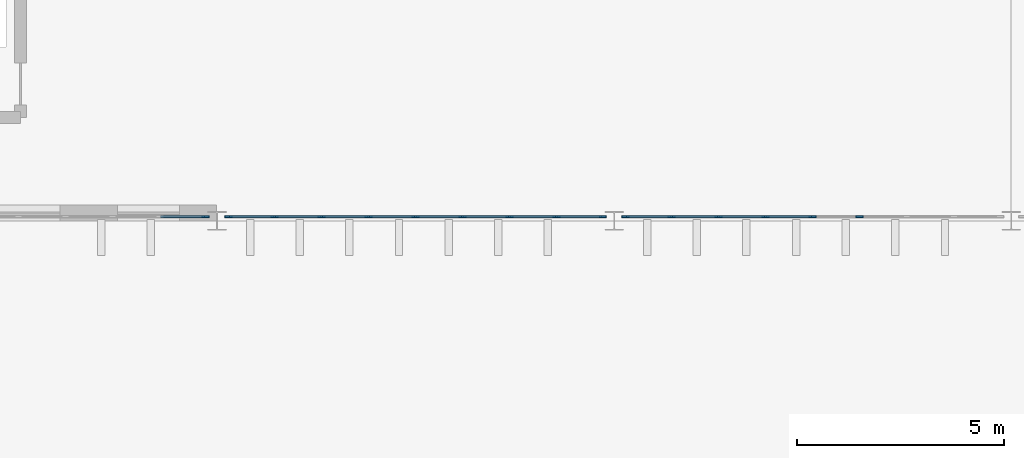
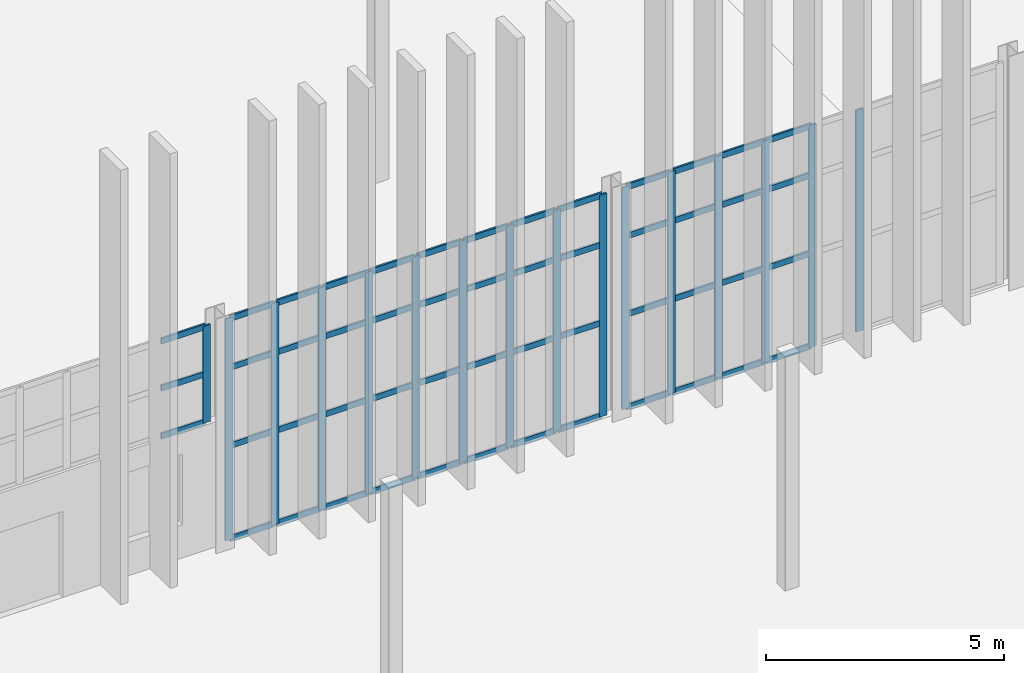
# One storey, part 38 of 139: 67 members, 3 elements without a shape of their own.
"""IFC4 building model written with IfcOpenShell, lengths in metres."""

from ifc_helpers import new_model, si_unit, direction, frame, origin, origin_2d, place, context, subcontext, project, spatial, rectangle, extrude, material, layer, layer_set, material_profile, profile_set, type_object, element, aggregate, save


model = new_model("IFC4")

# Units and contexts
model_context = context("Model", 3, precision=1e-05, world=origin(), true_north=direction((0.0, 1.0)))
body_context = subcontext(model_context, "Body", "Model", "MODEL_VIEW")
ifc_project = project(units=[si_unit("LENGTHUNIT", "METRE"), si_unit("AREAUNIT", "SQUARE_METRE"), si_unit("VOLUMEUNIT", "CUBIC_METRE"), si_unit("PLANEANGLEUNIT", "RADIAN"), si_unit("MASSUNIT", "GRAM", prefix="KILO")], contexts=[model_context])

# Site, building, storey
site_placement = place(None, origin())
site = spatial("IfcSite", under=ifc_project, at=site_placement, CompositionType="ELEMENT")
building_placement = place(site_placement, origin())
building = spatial("IfcBuilding", under=site, at=building_placement, Name="Yeouljin Market Hall", CompositionType="ELEMENT")
storey_placement = place(building_placement, origin())
storey = spatial("IfcBuildingStorey", under=building, at=storey_placement, Name="L00", CompositionType="ELEMENT", Elevation=0.0)

# Curtain wall, member
ifc_material_1 = material(Name="Thermally Broken Aluminium", Category="aluminium")
ifc_layer = layer(ifc_material_1, 0.179931640625)
ifc_layer_set = layer_set([ifc_layer], Name="Thermally Broken Aluminium")
curtain_wall_type = type_object("IfcCurtainWallType", Name="CW_HallNave_System", PredefinedType="USERDEFINED", material=ifc_layer_set)
curtain_wall_1_placement = place(storey_placement, origin())
curtain_wall_1 = element("IfcCurtainWall", 1, at=curtain_wall_1_placement, inside=storey, type_object=curtain_wall_type, Name="Curtain wall CW-V1S-L00-06", ObjectType="CURTAIN WALL", PredefinedType="USERDEFINED")
ifc_material_2 = material(Name="Thermally Broken Aluminium", Category="aluminium")
ifc_material_profile_1 = material_profile(ifc_material_2, rectangle(XDim=0.048095703125, YDim=0.179931640625, at=origin_2d()), Name="CW-MULL-48x180")
ifc_profile_set_1 = profile_set([ifc_material_profile_1], Name="Thermally Broken Aluminium")
member_type_1 = type_object("IfcMemberType", Name="CWMullion_48x180", PredefinedType="MULLION", material=ifc_profile_set_1)
member_1_placement = place(storey_placement, frame((92.72607421875, 36.10009765625, 3.199951171875), z_axis=(0.0, 0.0, 1.0), x_axis=(0.0, -1.0, 0.0)))
member_1 = element("IfcMember", 2, at=member_1_placement, type_object=member_type_1, Name="CW-01 mullion 1", PredefinedType="MULLION", context=body_context, shape_type="SweptSolid", body=[
    extrude(rectangle(XDim=0.048095703125, YDim=0.179931640625, at=origin_2d()), origin(), (0.0, 0.0, 1.0), 2.47998046875),
])

# Curtain wall, members
curtain_wall_2_placement = place(storey_placement, origin())
curtain_wall_2 = element("IfcCurtainWall", 3, at=curtain_wall_2_placement, inside=storey, type_object=curtain_wall_type, Name="Curtain wall CW-V1S-L00-07", ObjectType="CURTAIN WALL", PredefinedType="USERDEFINED")
member_2_placement = place(storey_placement, frame((102.325927734375, 36.10009765625, 0.0), z_axis=(0.0, 0.0, 1.0), x_axis=(0.0, -1.0, 0.0)))
member_2 = element("IfcMember", 4, at=member_2_placement, type_object=member_type_1, Name="CW-01 mullion 1", PredefinedType="MULLION", context=body_context, shape_type="SweptSolid", body=[
    extrude(rectangle(XDim=0.048095703125, YDim=0.179931640625, at=origin_2d()), origin(), (0.0, 0.0, 1.0), 5.679931640625),
])
member_3_placement = place(storey_placement, frame((101.21240234375, 36.10009765625, 0.0), z_axis=(0.0, 0.0, 1.0), x_axis=(0.0, -1.0, 0.0)))
member_3 = element("IfcMember", 5, at=member_3_placement, type_object=member_type_1, Name="CW-01 mullion 2", PredefinedType="MULLION", context=body_context, shape_type="SweptSolid", body=[
    extrude(rectangle(XDim=0.048095703125, YDim=0.179931640625, at=origin_2d()), origin(), (0.0, 0.0, 1.0), 5.679931640625),
])
member_4_placement = place(storey_placement, frame((100.074951171875, 36.10009765625, 0.0), z_axis=(0.0, 0.0, 1.0), x_axis=(0.0, -1.0, 0.0)))
member_4 = element("IfcMember", 6, at=member_4_placement, type_object=member_type_1, Name="CW-01 mullion 3", PredefinedType="MULLION", context=body_context, shape_type="SweptSolid", body=[
    extrude(rectangle(XDim=0.048095703125, YDim=0.179931640625, at=origin_2d()), origin(), (0.0, 0.0, 1.0), 5.679931640625),
])
member_5_placement = place(storey_placement, frame((98.9375, 36.10009765625, 0.0), z_axis=(0.0, 0.0, 1.0), x_axis=(0.0, -1.0, 0.0)))
member_5 = element("IfcMember", 7, at=member_5_placement, type_object=member_type_1, Name="CW-01 mullion 4", PredefinedType="MULLION", context=body_context, shape_type="SweptSolid", body=[
    extrude(rectangle(XDim=0.048095703125, YDim=0.179931640625, at=origin_2d()), origin(), (0.0, 0.0, 1.0), 5.679931640625),
])
member_6_placement = place(storey_placement, frame((97.800048828125, 36.10009765625, 0.0), z_axis=(0.0, 0.0, 1.0), x_axis=(0.0, -1.0, 0.0)))
member_6 = element("IfcMember", 8, at=member_6_placement, type_object=member_type_1, Name="CW-01 mullion 5", PredefinedType="MULLION", context=body_context, shape_type="SweptSolid", body=[
    extrude(rectangle(XDim=0.048095703125, YDim=0.179931640625, at=origin_2d()), origin(), (0.0, 0.0, 1.0), 5.679931640625),
])
member_7_placement = place(storey_placement, frame((96.66259765625, 36.10009765625, 0.0), z_axis=(0.0, 0.0, 1.0), x_axis=(0.0, -1.0, 0.0)))
member_7 = element("IfcMember", 9, at=member_7_placement, type_object=member_type_1, Name="CW-01 mullion 6", PredefinedType="MULLION", context=body_context, shape_type="SweptSolid", body=[
    extrude(rectangle(XDim=0.048095703125, YDim=0.179931640625, at=origin_2d()), origin(), (0.0, 0.0, 1.0), 5.679931640625),
])
member_8_placement = place(storey_placement, frame((95.52490234375, 36.10009765625, 0.0), z_axis=(0.0, 0.0, 1.0), x_axis=(0.0, -1.0, 0.0)))
member_8 = element("IfcMember", 10, at=member_8_placement, type_object=member_type_1, Name="CW-01 mullion 7", PredefinedType="MULLION", context=body_context, shape_type="SweptSolid", body=[
    extrude(rectangle(XDim=0.048095703125, YDim=0.179931640625, at=origin_2d()), origin(), (0.0, 0.0, 1.0), 5.679931640625),
])
member_9_placement = place(storey_placement, frame((94.387451171875, 36.10009765625, 0.0), z_axis=(0.0, 0.0, 1.0), x_axis=(0.0, -1.0, 0.0)))
member_9 = element("IfcMember", 11, at=member_9_placement, type_object=member_type_1, Name="CW-01 mullion 8", PredefinedType="MULLION", context=body_context, shape_type="SweptSolid", body=[
    extrude(rectangle(XDim=0.048095703125, YDim=0.179931640625, at=origin_2d()), origin(), (0.0, 0.0, 1.0), 5.679931640625),
])
member_10_placement = place(storey_placement, frame((93.27392578125, 36.10009765625, 0.0), z_axis=(0.0, 0.0, 1.0), x_axis=(0.0, -1.0, 0.0)))
member_10 = element("IfcMember", 12, at=member_10_placement, type_object=member_type_1, Name="CW-01 mullion 9", PredefinedType="MULLION", context=body_context, shape_type="SweptSolid", body=[
    extrude(rectangle(XDim=0.048095703125, YDim=0.179931640625, at=origin_2d()), origin(), (0.0, 0.0, 1.0), 5.679931640625),
])

curtain_wall_3_placement = place(storey_placement, origin())
curtain_wall_3 = element("IfcCurtainWall", 13, at=curtain_wall_3_placement, inside=storey, type_object=curtain_wall_type, Name="Curtain wall CW-V1S-L00-08", ObjectType="CURTAIN WALL", PredefinedType="USERDEFINED")
member_11_placement = place(storey_placement, frame((108.53759765625, 36.10009765625, 0.0), z_axis=(0.0, 0.0, 1.0), x_axis=(0.0, -1.0, 0.0)))
member_11 = element("IfcMember", 14, at=member_11_placement, type_object=member_type_1, Name="CW-01 mullion 4", PredefinedType="MULLION", context=body_context, shape_type="SweptSolid", body=[
    extrude(rectangle(XDim=0.048095703125, YDim=0.179931640625, at=origin_2d()), origin(), (0.0, 0.0, 1.0), 5.679931640625),
])
member_12_placement = place(storey_placement, frame((107.39990234375, 36.10009765625, 0.0), z_axis=(0.0, 0.0, 1.0), x_axis=(0.0, -1.0, 0.0)))
member_12 = element("IfcMember", 15, at=member_12_placement, type_object=member_type_1, Name="CW-01 mullion 5", PredefinedType="MULLION", context=body_context, shape_type="SweptSolid", body=[
    extrude(rectangle(XDim=0.048095703125, YDim=0.179931640625, at=origin_2d()), origin(), (0.0, 0.0, 1.0), 5.679931640625),
])
member_13_placement = place(storey_placement, frame((106.262451171875, 36.10009765625, 0.0), z_axis=(0.0, 0.0, 1.0), x_axis=(0.0, -1.0, 0.0)))
member_13 = element("IfcMember", 16, at=member_13_placement, type_object=member_type_1, Name="CW-01 mullion 6", PredefinedType="MULLION", context=body_context, shape_type="SweptSolid", body=[
    extrude(rectangle(XDim=0.048095703125, YDim=0.179931640625, at=origin_2d()), origin(), (0.0, 0.0, 1.0), 5.679931640625),
])
member_14_placement = place(storey_placement, frame((105.125, 36.10009765625, 0.0), z_axis=(0.0, 0.0, 1.0), x_axis=(0.0, -1.0, 0.0)))
member_14 = element("IfcMember", 17, at=member_14_placement, type_object=member_type_1, Name="CW-01 mullion 7", PredefinedType="MULLION", context=body_context, shape_type="SweptSolid", body=[
    extrude(rectangle(XDim=0.048095703125, YDim=0.179931640625, at=origin_2d()), origin(), (0.0, 0.0, 1.0), 5.679931640625),
])
member_15_placement = place(storey_placement, frame((103.987548828125, 36.10009765625, 0.0), z_axis=(0.0, 0.0, 1.0), x_axis=(0.0, -1.0, 0.0)))
member_15 = element("IfcMember", 18, at=member_15_placement, type_object=member_type_1, Name="CW-01 mullion 8", PredefinedType="MULLION", context=body_context, shape_type="SweptSolid", body=[
    extrude(rectangle(XDim=0.048095703125, YDim=0.179931640625, at=origin_2d()), origin(), (0.0, 0.0, 1.0), 5.679931640625),
])
member_16_placement = place(storey_placement, frame((102.8740234375, 36.10009765625, 0.0), z_axis=(0.0, 0.0, 1.0), x_axis=(0.0, -1.0, 0.0)))
member_16 = element("IfcMember", 19, at=member_16_placement, type_object=member_type_1, Name="CW-01 mullion 9", PredefinedType="MULLION", context=body_context, shape_type="SweptSolid", body=[
    extrude(rectangle(XDim=0.048095703125, YDim=0.179931640625, at=origin_2d()), origin(), (0.0, 0.0, 1.0), 5.679931640625),
])

# Member
ifc_material_3 = material(Name="Thermally Broken Aluminium", Category="aluminium")
ifc_material_profile_2 = material_profile(ifc_material_3, rectangle(XDim=0.048095703125, YDim=0.14990234375, at=origin_2d()), Name="CW-TRAN-48x150")
ifc_profile_set_2 = profile_set([ifc_material_profile_2], Name="Thermally Broken Aluminium")
member_type_2 = type_object("IfcMemberType", Name="CWTransom_48x150", PredefinedType="USERDEFINED", material=ifc_profile_set_2)
member_17_placement = place(storey_placement, frame((92.701904296875, 36.10009765625, 3.22412109375), z_axis=(-1.0, 0.0, 0.0), x_axis=(0.0, -1.0, 0.0)))
member_17 = element("IfcMember", 20, at=member_17_placement, type_object=member_type_2, Name="CW-01 transom 1.1", ObjectType="TRANSOM", PredefinedType="USERDEFINED", context=body_context, shape_type="SweptSolid", body=[
    extrude(rectangle(XDim=0.048095703125, YDim=0.14990234375, at=origin_2d()), origin(), (0.0, 0.0, 1.0), 1.0654296875),
])

member_18_placement = place(storey_placement, frame((92.701904296875, 36.10009765625, 4.449951171875), z_axis=(-1.0, 0.0, 0.0), x_axis=(0.0, -1.0, 0.0)))
member_18 = element("IfcMember", 21, at=member_18_placement, type_object=member_type_2, Name="CW-01 transom 1.2", ObjectType="TRANSOM", PredefinedType="USERDEFINED", context=body_context, shape_type="SweptSolid", body=[
    extrude(rectangle(XDim=0.048095703125, YDim=0.14990234375, at=origin_2d()), origin(), (0.0, 0.0, 1.0), 1.0654296875),
])

member_19_placement = place(storey_placement, frame((92.701904296875, 36.10009765625, 5.656005859375), z_axis=(-1.0, 0.0, 0.0), x_axis=(0.0, -1.0, 0.0)))
member_19 = element("IfcMember", 22, at=member_19_placement, type_object=member_type_2, Name="CW-01 transom 1.3", ObjectType="TRANSOM", PredefinedType="USERDEFINED", context=body_context, shape_type="SweptSolid", body=[
    extrude(rectangle(XDim=0.048095703125, YDim=0.14990234375, at=origin_2d()), origin(), (0.0, 0.0, 1.0), 1.0654296875),
])

aggregate(curtain_wall_1, [member_1, member_17, member_18, member_19])

member_20_placement = place(storey_placement, frame((102.302001953125, 36.10009765625, 0.02392578125), z_axis=(-1.0, 0.0, 0.0), x_axis=(0.0, -1.0, 0.0)))
member_20 = element("IfcMember", 23, at=member_20_placement, type_object=member_type_2, Name="CW-01 transom 1.1", ObjectType="TRANSOM", PredefinedType="USERDEFINED", context=body_context, shape_type="SweptSolid", body=[
    extrude(rectangle(XDim=0.048095703125, YDim=0.14990234375, at=origin_2d()), origin(), (0.0, 0.0, 1.0), 1.0654296875),
])

member_21_placement = place(storey_placement, frame((102.302001953125, 36.10009765625, 2.39990234375), z_axis=(-1.0, 0.0, 0.0), x_axis=(0.0, -1.0, 0.0)))
member_21 = element("IfcMember", 24, at=member_21_placement, type_object=member_type_2, Name="CW-01 transom 1.2", ObjectType="TRANSOM", PredefinedType="USERDEFINED", context=body_context, shape_type="SweptSolid", body=[
    extrude(rectangle(XDim=0.048095703125, YDim=0.14990234375, at=origin_2d()), origin(), (0.0, 0.0, 1.0), 1.0654296875),
])

member_22_placement = place(storey_placement, frame((102.302001953125, 36.10009765625, 4.39990234375), z_axis=(-1.0, 0.0, 0.0), x_axis=(0.0, -1.0, 0.0)))
member_22 = element("IfcMember", 25, at=member_22_placement, type_object=member_type_2, Name="CW-01 transom 1.3", ObjectType="TRANSOM", PredefinedType="USERDEFINED", context=body_context, shape_type="SweptSolid", body=[
    extrude(rectangle(XDim=0.048095703125, YDim=0.14990234375, at=origin_2d()), origin(), (0.0, 0.0, 1.0), 1.0654296875),
])

member_23_placement = place(storey_placement, frame((102.302001953125, 36.10009765625, 5.656005859375), z_axis=(-1.0, 0.0, 0.0), x_axis=(0.0, -1.0, 0.0)))
member_23 = element("IfcMember", 26, at=member_23_placement, type_object=member_type_2, Name="CW-01 transom 1.4", ObjectType="TRANSOM", PredefinedType="USERDEFINED", context=body_context, shape_type="SweptSolid", body=[
    extrude(rectangle(XDim=0.048095703125, YDim=0.14990234375, at=origin_2d()), origin(), (0.0, 0.0, 1.0), 1.0654296875),
])

member_24_placement = place(storey_placement, frame((101.1884765625, 36.10009765625, 0.02392578125), z_axis=(-1.0, 0.0, 0.0), x_axis=(0.0, -1.0, 0.0)))
member_24 = element("IfcMember", 27, at=member_24_placement, type_object=member_type_2, Name="CW-01 transom 2.1", ObjectType="TRANSOM", PredefinedType="USERDEFINED", context=body_context, shape_type="SweptSolid", body=[
    extrude(rectangle(XDim=0.048095703125, YDim=0.14990234375, at=origin_2d()), origin(), (0.0, 0.0, 1.0), 1.08935546875),
])

member_25_placement = place(storey_placement, frame((101.1884765625, 36.10009765625, 2.39990234375), z_axis=(-1.0, 0.0, 0.0), x_axis=(0.0, -1.0, 0.0)))
member_25 = element("IfcMember", 28, at=member_25_placement, type_object=member_type_2, Name="CW-01 transom 2.2", ObjectType="TRANSOM", PredefinedType="USERDEFINED", context=body_context, shape_type="SweptSolid", body=[
    extrude(rectangle(XDim=0.048095703125, YDim=0.14990234375, at=origin_2d()), origin(), (0.0, 0.0, 1.0), 1.08935546875),
])

member_26_placement = place(storey_placement, frame((101.1884765625, 36.10009765625, 4.39990234375), z_axis=(-1.0, 0.0, 0.0), x_axis=(0.0, -1.0, 0.0)))
member_26 = element("IfcMember", 29, at=member_26_placement, type_object=member_type_2, Name="CW-01 transom 2.3", ObjectType="TRANSOM", PredefinedType="USERDEFINED", context=body_context, shape_type="SweptSolid", body=[
    extrude(rectangle(XDim=0.048095703125, YDim=0.14990234375, at=origin_2d()), origin(), (0.0, 0.0, 1.0), 1.08935546875),
])

member_27_placement = place(storey_placement, frame((101.1884765625, 36.10009765625, 5.656005859375), z_axis=(-1.0, 0.0, 0.0), x_axis=(0.0, -1.0, 0.0)))
member_27 = element("IfcMember", 30, at=member_27_placement, type_object=member_type_2, Name="CW-01 transom 2.4", ObjectType="TRANSOM", PredefinedType="USERDEFINED", context=body_context, shape_type="SweptSolid", body=[
    extrude(rectangle(XDim=0.048095703125, YDim=0.14990234375, at=origin_2d()), origin(), (0.0, 0.0, 1.0), 1.08935546875),
])

member_28_placement = place(storey_placement, frame((100.051025390625, 36.10009765625, 0.02392578125), z_axis=(-1.0, 0.0, 0.0), x_axis=(0.0, -1.0, 0.0)))
member_28 = element("IfcMember", 31, at=member_28_placement, type_object=member_type_2, Name="CW-01 transom 3.1", ObjectType="TRANSOM", PredefinedType="USERDEFINED", context=body_context, shape_type="SweptSolid", body=[
    extrude(rectangle(XDim=0.048095703125, YDim=0.14990234375, at=origin_2d()), origin(), (0.0, 0.0, 1.0), 1.089599609375),
])

member_29_placement = place(storey_placement, frame((100.051025390625, 36.10009765625, 2.39990234375), z_axis=(-1.0, 0.0, 0.0), x_axis=(0.0, -1.0, 0.0)))
member_29 = element("IfcMember", 32, at=member_29_placement, type_object=member_type_2, Name="CW-01 transom 3.2", ObjectType="TRANSOM", PredefinedType="USERDEFINED", context=body_context, shape_type="SweptSolid", body=[
    extrude(rectangle(XDim=0.048095703125, YDim=0.14990234375, at=origin_2d()), origin(), (0.0, 0.0, 1.0), 1.089599609375),
])

member_30_placement = place(storey_placement, frame((100.051025390625, 36.10009765625, 4.39990234375), z_axis=(-1.0, 0.0, 0.0), x_axis=(0.0, -1.0, 0.0)))
member_30 = element("IfcMember", 33, at=member_30_placement, type_object=member_type_2, Name="CW-01 transom 3.3", ObjectType="TRANSOM", PredefinedType="USERDEFINED", context=body_context, shape_type="SweptSolid", body=[
    extrude(rectangle(XDim=0.048095703125, YDim=0.14990234375, at=origin_2d()), origin(), (0.0, 0.0, 1.0), 1.089599609375),
])

member_31_placement = place(storey_placement, frame((100.051025390625, 36.10009765625, 5.656005859375), z_axis=(-1.0, 0.0, 0.0), x_axis=(0.0, -1.0, 0.0)))
member_31 = element("IfcMember", 34, at=member_31_placement, type_object=member_type_2, Name="CW-01 transom 3.4", ObjectType="TRANSOM", PredefinedType="USERDEFINED", context=body_context, shape_type="SweptSolid", body=[
    extrude(rectangle(XDim=0.048095703125, YDim=0.14990234375, at=origin_2d()), origin(), (0.0, 0.0, 1.0), 1.089599609375),
])

member_32_placement = place(storey_placement, frame((98.91357421875, 36.10009765625, 0.02392578125), z_axis=(-1.0, 0.0, 0.0), x_axis=(0.0, -1.0, 0.0)))
member_32 = element("IfcMember", 35, at=member_32_placement, type_object=member_type_2, Name="CW-01 transom 4.1", ObjectType="TRANSOM", PredefinedType="USERDEFINED", context=body_context, shape_type="SweptSolid", body=[
    extrude(rectangle(XDim=0.048095703125, YDim=0.14990234375, at=origin_2d()), origin(), (0.0, 0.0, 1.0), 1.089599609375),
])

member_33_placement = place(storey_placement, frame((98.91357421875, 36.10009765625, 2.39990234375), z_axis=(-1.0, 0.0, 0.0), x_axis=(0.0, -1.0, 0.0)))
member_33 = element("IfcMember", 36, at=member_33_placement, type_object=member_type_2, Name="CW-01 transom 4.2", ObjectType="TRANSOM", PredefinedType="USERDEFINED", context=body_context, shape_type="SweptSolid", body=[
    extrude(rectangle(XDim=0.048095703125, YDim=0.14990234375, at=origin_2d()), origin(), (0.0, 0.0, 1.0), 1.089599609375),
])

member_34_placement = place(storey_placement, frame((98.91357421875, 36.10009765625, 4.39990234375), z_axis=(-1.0, 0.0, 0.0), x_axis=(0.0, -1.0, 0.0)))
member_34 = element("IfcMember", 37, at=member_34_placement, type_object=member_type_2, Name="CW-01 transom 4.3", ObjectType="TRANSOM", PredefinedType="USERDEFINED", context=body_context, shape_type="SweptSolid", body=[
    extrude(rectangle(XDim=0.048095703125, YDim=0.14990234375, at=origin_2d()), origin(), (0.0, 0.0, 1.0), 1.089599609375),
])

member_35_placement = place(storey_placement, frame((98.91357421875, 36.10009765625, 5.656005859375), z_axis=(-1.0, 0.0, 0.0), x_axis=(0.0, -1.0, 0.0)))
member_35 = element("IfcMember", 38, at=member_35_placement, type_object=member_type_2, Name="CW-01 transom 4.4", ObjectType="TRANSOM", PredefinedType="USERDEFINED", context=body_context, shape_type="SweptSolid", body=[
    extrude(rectangle(XDim=0.048095703125, YDim=0.14990234375, at=origin_2d()), origin(), (0.0, 0.0, 1.0), 1.089599609375),
])

member_36_placement = place(storey_placement, frame((97.77587890625, 36.10009765625, 0.02392578125), z_axis=(-1.0, 0.0, 0.0), x_axis=(0.0, -1.0, 0.0)))
member_36 = element("IfcMember", 39, at=member_36_placement, type_object=member_type_2, Name="CW-01 transom 5.1", ObjectType="TRANSOM", PredefinedType="USERDEFINED", context=body_context, shape_type="SweptSolid", body=[
    extrude(rectangle(XDim=0.048095703125, YDim=0.14990234375, at=origin_2d()), origin(), (0.0, 0.0, 1.0), 1.08935546875),
])

member_37_placement = place(storey_placement, frame((97.77587890625, 36.10009765625, 2.39990234375), z_axis=(-1.0, 0.0, 0.0), x_axis=(0.0, -1.0, 0.0)))
member_37 = element("IfcMember", 40, at=member_37_placement, type_object=member_type_2, Name="CW-01 transom 5.2", ObjectType="TRANSOM", PredefinedType="USERDEFINED", context=body_context, shape_type="SweptSolid", body=[
    extrude(rectangle(XDim=0.048095703125, YDim=0.14990234375, at=origin_2d()), origin(), (0.0, 0.0, 1.0), 1.08935546875),
])

member_38_placement = place(storey_placement, frame((97.77587890625, 36.10009765625, 4.39990234375), z_axis=(-1.0, 0.0, 0.0), x_axis=(0.0, -1.0, 0.0)))
member_38 = element("IfcMember", 41, at=member_38_placement, type_object=member_type_2, Name="CW-01 transom 5.3", ObjectType="TRANSOM", PredefinedType="USERDEFINED", context=body_context, shape_type="SweptSolid", body=[
    extrude(rectangle(XDim=0.048095703125, YDim=0.14990234375, at=origin_2d()), origin(), (0.0, 0.0, 1.0), 1.08935546875),
])

member_39_placement = place(storey_placement, frame((97.77587890625, 36.10009765625, 5.656005859375), z_axis=(-1.0, 0.0, 0.0), x_axis=(0.0, -1.0, 0.0)))
member_39 = element("IfcMember", 42, at=member_39_placement, type_object=member_type_2, Name="CW-01 transom 5.4", ObjectType="TRANSOM", PredefinedType="USERDEFINED", context=body_context, shape_type="SweptSolid", body=[
    extrude(rectangle(XDim=0.048095703125, YDim=0.14990234375, at=origin_2d()), origin(), (0.0, 0.0, 1.0), 1.08935546875),
])

member_40_placement = place(storey_placement, frame((96.638427734375, 36.10009765625, 0.02392578125), z_axis=(-1.0, 0.0, 0.0), x_axis=(0.0, -1.0, 0.0)))
member_40 = element("IfcMember", 43, at=member_40_placement, type_object=member_type_2, Name="CW-01 transom 6.1", ObjectType="TRANSOM", PredefinedType="USERDEFINED", context=body_context, shape_type="SweptSolid", body=[
    extrude(rectangle(XDim=0.048095703125, YDim=0.14990234375, at=origin_2d()), origin(), (0.0, 0.0, 1.0), 1.08935546875),
])

member_41_placement = place(storey_placement, frame((96.638427734375, 36.10009765625, 2.39990234375), z_axis=(-1.0, 0.0, 0.0), x_axis=(0.0, -1.0, 0.0)))
member_41 = element("IfcMember", 44, at=member_41_placement, type_object=member_type_2, Name="CW-01 transom 6.2", ObjectType="TRANSOM", PredefinedType="USERDEFINED", context=body_context, shape_type="SweptSolid", body=[
    extrude(rectangle(XDim=0.048095703125, YDim=0.14990234375, at=origin_2d()), origin(), (0.0, 0.0, 1.0), 1.08935546875),
])

member_42_placement = place(storey_placement, frame((96.638427734375, 36.10009765625, 4.39990234375), z_axis=(-1.0, 0.0, 0.0), x_axis=(0.0, -1.0, 0.0)))
member_42 = element("IfcMember", 45, at=member_42_placement, type_object=member_type_2, Name="CW-01 transom 6.3", ObjectType="TRANSOM", PredefinedType="USERDEFINED", context=body_context, shape_type="SweptSolid", body=[
    extrude(rectangle(XDim=0.048095703125, YDim=0.14990234375, at=origin_2d()), origin(), (0.0, 0.0, 1.0), 1.08935546875),
])

member_43_placement = place(storey_placement, frame((96.638427734375, 36.10009765625, 5.656005859375), z_axis=(-1.0, 0.0, 0.0), x_axis=(0.0, -1.0, 0.0)))
member_43 = element("IfcMember", 46, at=member_43_placement, type_object=member_type_2, Name="CW-01 transom 6.4", ObjectType="TRANSOM", PredefinedType="USERDEFINED", context=body_context, shape_type="SweptSolid", body=[
    extrude(rectangle(XDim=0.048095703125, YDim=0.14990234375, at=origin_2d()), origin(), (0.0, 0.0, 1.0), 1.08935546875),
])

member_44_placement = place(storey_placement, frame((95.5009765625, 36.10009765625, 0.02392578125), z_axis=(-1.0, 0.0, 0.0), x_axis=(0.0, -1.0, 0.0)))
member_44 = element("IfcMember", 47, at=member_44_placement, type_object=member_type_2, Name="CW-01 transom 7.1", ObjectType="TRANSOM", PredefinedType="USERDEFINED", context=body_context, shape_type="SweptSolid", body=[
    extrude(rectangle(XDim=0.048095703125, YDim=0.14990234375, at=origin_2d()), origin(), (0.0, 0.0, 1.0), 1.08935546875),
])

member_45_placement = place(storey_placement, frame((95.5009765625, 36.10009765625, 2.39990234375), z_axis=(-1.0, 0.0, 0.0), x_axis=(0.0, -1.0, 0.0)))
member_45 = element("IfcMember", 48, at=member_45_placement, type_object=member_type_2, Name="CW-01 transom 7.2", ObjectType="TRANSOM", PredefinedType="USERDEFINED", context=body_context, shape_type="SweptSolid", body=[
    extrude(rectangle(XDim=0.048095703125, YDim=0.14990234375, at=origin_2d()), origin(), (0.0, 0.0, 1.0), 1.08935546875),
])

member_46_placement = place(storey_placement, frame((95.5009765625, 36.10009765625, 4.39990234375), z_axis=(-1.0, 0.0, 0.0), x_axis=(0.0, -1.0, 0.0)))
member_46 = element("IfcMember", 49, at=member_46_placement, type_object=member_type_2, Name="CW-01 transom 7.3", ObjectType="TRANSOM", PredefinedType="USERDEFINED", context=body_context, shape_type="SweptSolid", body=[
    extrude(rectangle(XDim=0.048095703125, YDim=0.14990234375, at=origin_2d()), origin(), (0.0, 0.0, 1.0), 1.08935546875),
])

member_47_placement = place(storey_placement, frame((95.5009765625, 36.10009765625, 5.656005859375), z_axis=(-1.0, 0.0, 0.0), x_axis=(0.0, -1.0, 0.0)))
member_47 = element("IfcMember", 50, at=member_47_placement, type_object=member_type_2, Name="CW-01 transom 7.4", ObjectType="TRANSOM", PredefinedType="USERDEFINED", context=body_context, shape_type="SweptSolid", body=[
    extrude(rectangle(XDim=0.048095703125, YDim=0.14990234375, at=origin_2d()), origin(), (0.0, 0.0, 1.0), 1.08935546875),
])

member_48_placement = place(storey_placement, frame((94.363525390625, 36.10009765625, 0.02392578125), z_axis=(-1.0, 0.0, 0.0), x_axis=(0.0, -1.0, 0.0)))
member_48 = element("IfcMember", 51, at=member_48_placement, type_object=member_type_2, Name="CW-01 transom 8.1", ObjectType="TRANSOM", PredefinedType="USERDEFINED", context=body_context, shape_type="SweptSolid", body=[
    extrude(rectangle(XDim=0.048095703125, YDim=0.14990234375, at=origin_2d()), origin(), (0.0, 0.0, 1.0), 1.0654296875),
])

member_49_placement = place(storey_placement, frame((94.363525390625, 36.10009765625, 2.39990234375), z_axis=(-1.0, 0.0, 0.0), x_axis=(0.0, -1.0, 0.0)))
member_49 = element("IfcMember", 52, at=member_49_placement, type_object=member_type_2, Name="CW-01 transom 8.2", ObjectType="TRANSOM", PredefinedType="USERDEFINED", context=body_context, shape_type="SweptSolid", body=[
    extrude(rectangle(XDim=0.048095703125, YDim=0.14990234375, at=origin_2d()), origin(), (0.0, 0.0, 1.0), 1.0654296875),
])

member_50_placement = place(storey_placement, frame((94.363525390625, 36.10009765625, 4.39990234375), z_axis=(-1.0, 0.0, 0.0), x_axis=(0.0, -1.0, 0.0)))
member_50 = element("IfcMember", 53, at=member_50_placement, type_object=member_type_2, Name="CW-01 transom 8.3", ObjectType="TRANSOM", PredefinedType="USERDEFINED", context=body_context, shape_type="SweptSolid", body=[
    extrude(rectangle(XDim=0.048095703125, YDim=0.14990234375, at=origin_2d()), origin(), (0.0, 0.0, 1.0), 1.0654296875),
])

member_51_placement = place(storey_placement, frame((94.363525390625, 36.10009765625, 5.656005859375), z_axis=(-1.0, 0.0, 0.0), x_axis=(0.0, -1.0, 0.0)))
member_51 = element("IfcMember", 54, at=member_51_placement, type_object=member_type_2, Name="CW-01 transom 8.4", ObjectType="TRANSOM", PredefinedType="USERDEFINED", context=body_context, shape_type="SweptSolid", body=[
    extrude(rectangle(XDim=0.048095703125, YDim=0.14990234375, at=origin_2d()), origin(), (0.0, 0.0, 1.0), 1.0654296875),
])

aggregate(curtain_wall_2, [member_2, member_3, member_4, member_5, member_6, member_7, member_8, member_9, member_10, member_20, member_21, member_22, member_23, member_24, member_25, member_26, member_27, member_28, member_29, member_30, member_31, member_32, member_33, member_34, member_35, member_36, member_37, member_38, member_39, member_40, member_41, member_42, member_43, member_44, member_45, member_46, member_47, member_48, member_49, member_50, member_51])

member_52_placement = place(storey_placement, frame((107.3759765625, 36.10009765625, 0.02392578125), z_axis=(-1.0, 0.0, 0.0), x_axis=(0.0, -1.0, 0.0)))
member_52 = element("IfcMember", 55, at=member_52_placement, type_object=member_type_2, Name="CW-01 transom 5.1", ObjectType="TRANSOM", PredefinedType="USERDEFINED", context=body_context, shape_type="SweptSolid", body=[
    extrude(rectangle(XDim=0.048095703125, YDim=0.14990234375, at=origin_2d()), origin(), (0.0, 0.0, 1.0), 1.08935546875),
])

member_53_placement = place(storey_placement, frame((107.3759765625, 36.10009765625, 2.39990234375), z_axis=(-1.0, 0.0, 0.0), x_axis=(0.0, -1.0, 0.0)))
member_53 = element("IfcMember", 56, at=member_53_placement, type_object=member_type_2, Name="CW-01 transom 5.2", ObjectType="TRANSOM", PredefinedType="USERDEFINED", context=body_context, shape_type="SweptSolid", body=[
    extrude(rectangle(XDim=0.048095703125, YDim=0.14990234375, at=origin_2d()), origin(), (0.0, 0.0, 1.0), 1.08935546875),
])

member_54_placement = place(storey_placement, frame((107.3759765625, 36.10009765625, 4.39990234375), z_axis=(-1.0, 0.0, 0.0), x_axis=(0.0, -1.0, 0.0)))
member_54 = element("IfcMember", 57, at=member_54_placement, type_object=member_type_2, Name="CW-01 transom 5.3", ObjectType="TRANSOM", PredefinedType="USERDEFINED", context=body_context, shape_type="SweptSolid", body=[
    extrude(rectangle(XDim=0.048095703125, YDim=0.14990234375, at=origin_2d()), origin(), (0.0, 0.0, 1.0), 1.08935546875),
])

member_55_placement = place(storey_placement, frame((107.3759765625, 36.10009765625, 5.656005859375), z_axis=(-1.0, 0.0, 0.0), x_axis=(0.0, -1.0, 0.0)))
member_55 = element("IfcMember", 58, at=member_55_placement, type_object=member_type_2, Name="CW-01 transom 5.4", ObjectType="TRANSOM", PredefinedType="USERDEFINED", context=body_context, shape_type="SweptSolid", body=[
    extrude(rectangle(XDim=0.048095703125, YDim=0.14990234375, at=origin_2d()), origin(), (0.0, 0.0, 1.0), 1.08935546875),
])

member_56_placement = place(storey_placement, frame((106.238525390625, 36.10009765625, 0.02392578125), z_axis=(-1.0, 0.0, 0.0), x_axis=(0.0, -1.0, 0.0)))
member_56 = element("IfcMember", 59, at=member_56_placement, type_object=member_type_2, Name="CW-01 transom 6.1", ObjectType="TRANSOM", PredefinedType="USERDEFINED", context=body_context, shape_type="SweptSolid", body=[
    extrude(rectangle(XDim=0.048095703125, YDim=0.14990234375, at=origin_2d()), origin(), (0.0, 0.0, 1.0), 1.089599609375),
])

member_57_placement = place(storey_placement, frame((106.238525390625, 36.10009765625, 2.39990234375), z_axis=(-1.0, 0.0, 0.0), x_axis=(0.0, -1.0, 0.0)))
member_57 = element("IfcMember", 60, at=member_57_placement, type_object=member_type_2, Name="CW-01 transom 6.2", ObjectType="TRANSOM", PredefinedType="USERDEFINED", context=body_context, shape_type="SweptSolid", body=[
    extrude(rectangle(XDim=0.048095703125, YDim=0.14990234375, at=origin_2d()), origin(), (0.0, 0.0, 1.0), 1.089599609375),
])

member_58_placement = place(storey_placement, frame((106.238525390625, 36.10009765625, 4.39990234375), z_axis=(-1.0, 0.0, 0.0), x_axis=(0.0, -1.0, 0.0)))
member_58 = element("IfcMember", 61, at=member_58_placement, type_object=member_type_2, Name="CW-01 transom 6.3", ObjectType="TRANSOM", PredefinedType="USERDEFINED", context=body_context, shape_type="SweptSolid", body=[
    extrude(rectangle(XDim=0.048095703125, YDim=0.14990234375, at=origin_2d()), origin(), (0.0, 0.0, 1.0), 1.089599609375),
])

member_59_placement = place(storey_placement, frame((106.238525390625, 36.10009765625, 5.656005859375), z_axis=(-1.0, 0.0, 0.0), x_axis=(0.0, -1.0, 0.0)))
member_59 = element("IfcMember", 62, at=member_59_placement, type_object=member_type_2, Name="CW-01 transom 6.4", ObjectType="TRANSOM", PredefinedType="USERDEFINED", context=body_context, shape_type="SweptSolid", body=[
    extrude(rectangle(XDim=0.048095703125, YDim=0.14990234375, at=origin_2d()), origin(), (0.0, 0.0, 1.0), 1.089599609375),
])

member_60_placement = place(storey_placement, frame((105.10107421875, 36.10009765625, 0.02392578125), z_axis=(-1.0, 0.0, 0.0), x_axis=(0.0, -1.0, 0.0)))
member_60 = element("IfcMember", 63, at=member_60_placement, type_object=member_type_2, Name="CW-01 transom 7.1", ObjectType="TRANSOM", PredefinedType="USERDEFINED", context=body_context, shape_type="SweptSolid", body=[
    extrude(rectangle(XDim=0.048095703125, YDim=0.14990234375, at=origin_2d()), origin(), (0.0, 0.0, 1.0), 1.089599609375),
])

member_61_placement = place(storey_placement, frame((105.10107421875, 36.10009765625, 2.39990234375), z_axis=(-1.0, 0.0, 0.0), x_axis=(0.0, -1.0, 0.0)))
member_61 = element("IfcMember", 64, at=member_61_placement, type_object=member_type_2, Name="CW-01 transom 7.2", ObjectType="TRANSOM", PredefinedType="USERDEFINED", context=body_context, shape_type="SweptSolid", body=[
    extrude(rectangle(XDim=0.048095703125, YDim=0.14990234375, at=origin_2d()), origin(), (0.0, 0.0, 1.0), 1.089599609375),
])

member_62_placement = place(storey_placement, frame((105.10107421875, 36.10009765625, 4.39990234375), z_axis=(-1.0, 0.0, 0.0), x_axis=(0.0, -1.0, 0.0)))
member_62 = element("IfcMember", 65, at=member_62_placement, type_object=member_type_2, Name="CW-01 transom 7.3", ObjectType="TRANSOM", PredefinedType="USERDEFINED", context=body_context, shape_type="SweptSolid", body=[
    extrude(rectangle(XDim=0.048095703125, YDim=0.14990234375, at=origin_2d()), origin(), (0.0, 0.0, 1.0), 1.089599609375),
])

member_63_placement = place(storey_placement, frame((105.10107421875, 36.10009765625, 5.656005859375), z_axis=(-1.0, 0.0, 0.0), x_axis=(0.0, -1.0, 0.0)))
member_63 = element("IfcMember", 66, at=member_63_placement, type_object=member_type_2, Name="CW-01 transom 7.4", ObjectType="TRANSOM", PredefinedType="USERDEFINED", context=body_context, shape_type="SweptSolid", body=[
    extrude(rectangle(XDim=0.048095703125, YDim=0.14990234375, at=origin_2d()), origin(), (0.0, 0.0, 1.0), 1.089599609375),
])

member_64_placement = place(storey_placement, frame((103.96337890625, 36.10009765625, 0.02392578125), z_axis=(-1.0, 0.0, 0.0), x_axis=(0.0, -1.0, 0.0)))
member_64 = element("IfcMember", 67, at=member_64_placement, type_object=member_type_2, Name="CW-01 transom 8.1", ObjectType="TRANSOM", PredefinedType="USERDEFINED", context=body_context, shape_type="SweptSolid", body=[
    extrude(rectangle(XDim=0.048095703125, YDim=0.14990234375, at=origin_2d()), origin(), (0.0, 0.0, 1.0), 1.0654296875),
])

member_65_placement = place(storey_placement, frame((103.96337890625, 36.10009765625, 2.39990234375), z_axis=(-1.0, 0.0, 0.0), x_axis=(0.0, -1.0, 0.0)))
member_65 = element("IfcMember", 68, at=member_65_placement, type_object=member_type_2, Name="CW-01 transom 8.2", ObjectType="TRANSOM", PredefinedType="USERDEFINED", context=body_context, shape_type="SweptSolid", body=[
    extrude(rectangle(XDim=0.048095703125, YDim=0.14990234375, at=origin_2d()), origin(), (0.0, 0.0, 1.0), 1.0654296875),
])

member_66_placement = place(storey_placement, frame((103.96337890625, 36.10009765625, 4.39990234375), z_axis=(-1.0, 0.0, 0.0), x_axis=(0.0, -1.0, 0.0)))
member_66 = element("IfcMember", 69, at=member_66_placement, type_object=member_type_2, Name="CW-01 transom 8.3", ObjectType="TRANSOM", PredefinedType="USERDEFINED", context=body_context, shape_type="SweptSolid", body=[
    extrude(rectangle(XDim=0.048095703125, YDim=0.14990234375, at=origin_2d()), origin(), (0.0, 0.0, 1.0), 1.0654296875),
])

member_67_placement = place(storey_placement, frame((103.96337890625, 36.10009765625, 5.656005859375), z_axis=(-1.0, 0.0, 0.0), x_axis=(0.0, -1.0, 0.0)))
member_67 = element("IfcMember", 70, at=member_67_placement, type_object=member_type_2, Name="CW-01 transom 8.4", ObjectType="TRANSOM", PredefinedType="USERDEFINED", context=body_context, shape_type="SweptSolid", body=[
    extrude(rectangle(XDim=0.048095703125, YDim=0.14990234375, at=origin_2d()), origin(), (0.0, 0.0, 1.0), 1.0654296875),
])

aggregate(curtain_wall_3, [member_11, member_12, member_13, member_14, member_15, member_16, member_52, member_53, member_54, member_55, member_56, member_57, member_58, member_59, member_60, member_61, member_62, member_63, member_64, member_65, member_66, member_67])

save(model, "model.ifc")
